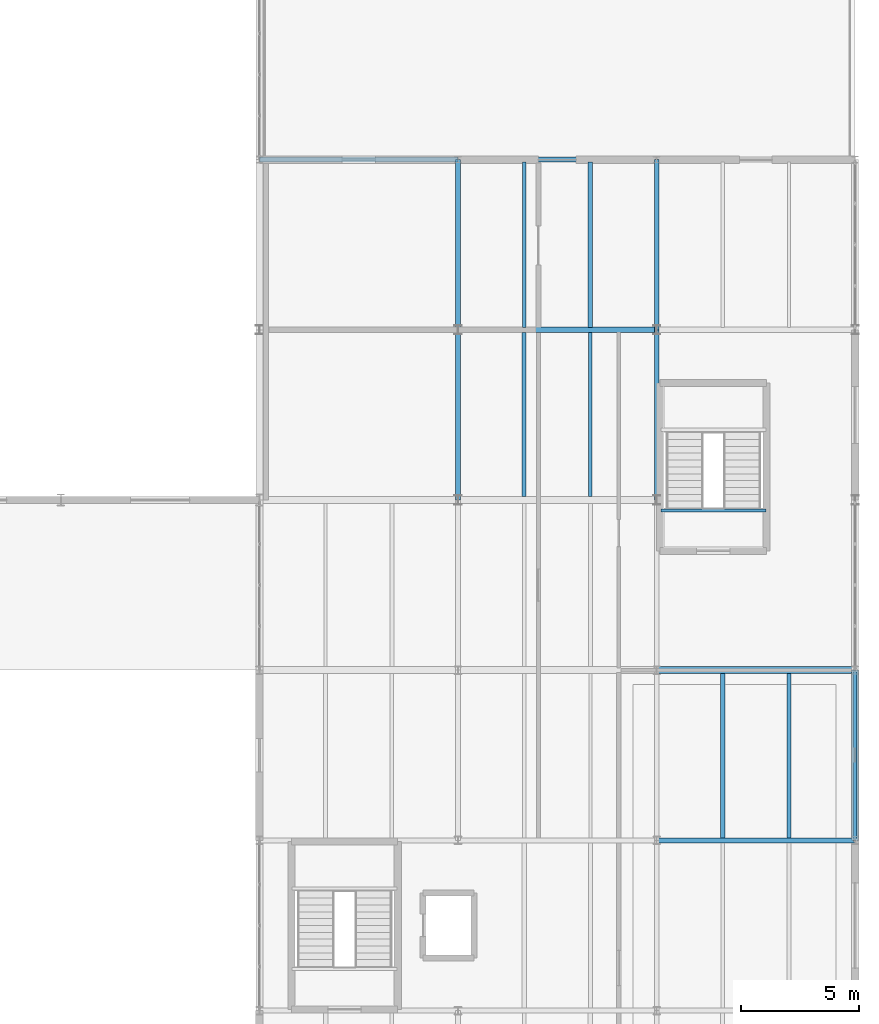
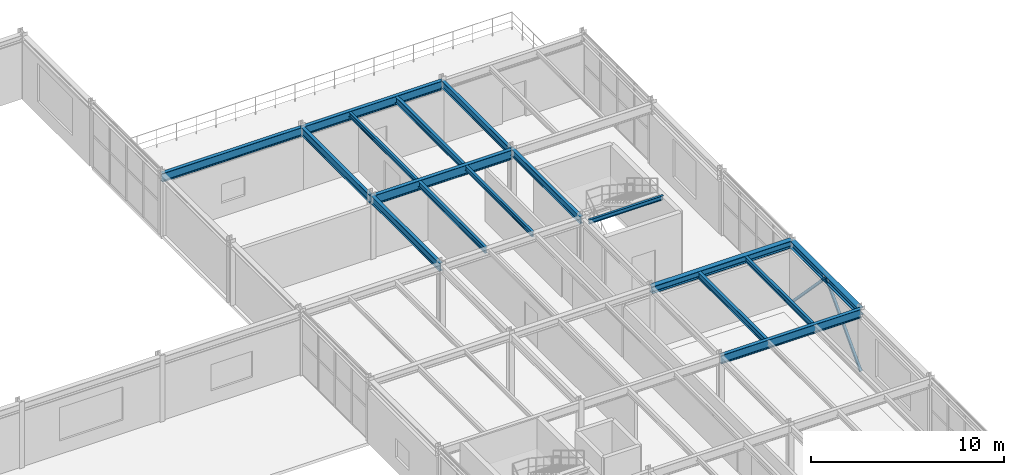
# One storey, part 47 of 73: 17 beams, 2 members.
"""IFC4 building model written with IfcOpenShell, lengths in metres."""

from ifc_helpers import new_model, si_unit, derived_unit, direction, frame, origin, origin_2d, place, context, subcontext, project, spatial, hollow_rectangle, i_section, extrude, material, material_profile, profile_set, type_object, element, save


model = new_model("IFC4")

# Units and contexts
model_context = context("Model", 3, precision=1e-05, world=origin(), true_north=direction((0.0, 1.0)))
body_context = subcontext(model_context, "Body", "Model", "MODEL_VIEW")
ifc_project = project(units=[si_unit("LENGTHUNIT", "METRE"), si_unit("AREAUNIT", "SQUARE_METRE"), si_unit("VOLUMEUNIT", "CUBIC_METRE"), si_unit("PLANEANGLEUNIT", "RADIAN"), si_unit("MASSUNIT", "GRAM", prefix="KILO"), derived_unit("THERMALTRANSMITTANCEUNIT", [(si_unit("MASSUNIT", "GRAM", prefix="KILO"), 1), (si_unit("TIMEUNIT", "SECOND"), -3), (si_unit("THERMODYNAMICTEMPERATUREUNIT", "KELVIN"), -1)])], contexts=[model_context])

# Site, building, storey
site_placement = place(None, origin())
site = spatial("IfcSite", under=ifc_project, at=site_placement, CompositionType="ELEMENT")
building_placement = place(site_placement, origin())
building = spatial("IfcBuilding", under=site, at=building_placement, Name="Kharveza Railside Sports Centre", CompositionType="ELEMENT")
storey_placement = place(building_placement, frame((0.0, 0.0, 8.699951171875)))
storey = spatial("IfcBuildingStorey", under=building, at=storey_placement, Name="L02", CompositionType="ELEMENT", Elevation=8.699951171875)

# Beams
ifc_material = material(Name="Steel S355J2", Category="steel")
ifc_material_profile_1 = material_profile(ifc_material, i_section(OverallWidth=0.219970703125, OverallDepth=0.60009765625, WebThickness=0.011962890625, FlangeThickness=0.01904296875, FilletRadius=0.02392578125, at=origin_2d()), Name="IPE 600")
ifc_profile_set_1 = profile_set([ifc_material_profile_1], Name="Steel S355J2")
beam_type_1 = type_object("IfcBeamType", Name="BM-G01", PredefinedType="T_BEAM", material=ifc_profile_set_1)
beam_1_placement = place(storey_placement, frame((151.199951171875, 86.39990234375, 3.6201171875), z_axis=(1.0, 0.0, 0.0), x_axis=(0.0, 1.0, 0.0)))
element("IfcBeam", 1, at=beam_1_placement, inside=storey, type_object=beam_type_1, Name="BM-EW-L02-B01-X1512-Y864", PredefinedType="T_BEAM", context=body_context, shape_type="SweptSolid", body=[
    extrude(i_section(OverallWidth=0.219970703125, OverallDepth=0.60009765625, WebThickness=0.011962890625, FlangeThickness=0.01904296875, FilletRadius=0.02392578125, at=origin_2d()), origin(), (0.0, 0.0, 1.0), 8.400146484375),
])
ifc_material_profile_2 = material_profile(ifc_material, i_section(OverallWidth=0.2099609375, OverallDepth=0.550048828125, WebThickness=0.010986328125, FlangeThickness=0.01708984375, FilletRadius=0.02392578125, at=origin_2d()), Name="IPE 550")
ifc_profile_set_2 = profile_set([ifc_material_profile_2], Name="Steel S355J2")
beam_type_2 = type_object("IfcBeamType", Name="BM-G02", PredefinedType="T_BEAM", material=ifc_profile_set_2)
beam_2_placement = place(storey_placement, frame((142.800048828125, 93.60009765625, 3.64501953125), z_axis=(1.0, 0.0, 0.0), x_axis=(0.0, 1.0, 0.0)))
element("IfcBeam", 2, at=beam_2_placement, inside=storey, type_object=beam_type_2, Name="BM-EW-L02-B02-X1428-Y936", PredefinedType="T_BEAM", context=body_context, shape_type="SweptSolid", body=[
    extrude(i_section(OverallWidth=0.2099609375, OverallDepth=0.550048828125, WebThickness=0.010986328125, FlangeThickness=0.01708984375, FilletRadius=0.02392578125, at=origin_2d()), origin(), (0.0, 0.0, 1.0), 8.39990234375),
])
beam_3_placement = place(storey_placement, frame((151.199951171875, 93.60009765625, 3.64501953125), z_axis=(1.0, 0.0, 0.0), x_axis=(0.0, 1.0, 0.0)))
element("IfcBeam", 3, at=beam_3_placement, inside=storey, type_object=beam_type_2, Name="BM-EW-L02-B02-X1512-Y936", PredefinedType="T_BEAM", context=body_context, shape_type="SweptSolid", body=[
    extrude(i_section(OverallWidth=0.2099609375, OverallDepth=0.550048828125, WebThickness=0.010986328125, FlangeThickness=0.01708984375, FilletRadius=0.02392578125, at=origin_2d()), origin(), (0.0, 0.0, 1.0), 8.400146484375),
])
beam_4_placement = place(storey_placement, frame((159.60009765625, 64.800048828125, 3.72509765625), z_axis=(1.0, 0.0, 0.0), x_axis=(0.0, 1.0, 0.0)))
element("IfcBeam", 4, at=beam_4_placement, inside=storey, type_object=beam_type_2, Name="BM-EW-L02-B02-X1596-Y648", PredefinedType="T_BEAM", context=body_context, shape_type="SweptSolid", body=[
    extrude(i_section(OverallWidth=0.2099609375, OverallDepth=0.550048828125, WebThickness=0.010986328125, FlangeThickness=0.01708984375, FilletRadius=0.02392578125, at=origin_2d()), origin(), (0.0, 0.0, 1.0), 8.39990234375),
])
ifc_material_profile_3 = material_profile(ifc_material, i_section(OverallWidth=0.199951171875, OverallDepth=0.5, WebThickness=0.01025390625, FlangeThickness=0.01611328125, FilletRadius=0.02099609375, at=origin_2d()), Name="IPE 500")
ifc_profile_set_3 = profile_set([ifc_material_profile_3], Name="Steel S355J2")
beam_type_3 = type_object("IfcBeamType", Name="BM-G03", PredefinedType="T_BEAM", material=ifc_profile_set_3)
beam_5_placement = place(storey_placement, frame((151.199951171875, 79.199951171875, 3.75), z_axis=(0.0, 1.0, 0.0), x_axis=(-1.0, 0.0, 0.0)))
element("IfcBeam", 5, at=beam_5_placement, inside=storey, type_object=beam_type_3, Name="BM-NS-L02-B03-X1512-Y792", PredefinedType="T_BEAM", context=body_context, shape_type="SweptSolid", body=[
    extrude(i_section(OverallWidth=0.199951171875, OverallDepth=0.5, WebThickness=0.01025390625, FlangeThickness=0.01611328125, FilletRadius=0.02099609375, at=origin_2d()), origin(), (0.0, 0.0, 1.0), 7.199951171875),
])
beam_6_placement = place(storey_placement, frame((151.199951171875, 86.39990234375, 3.670166015625), z_axis=(0.0, 1.0, 0.0), x_axis=(-1.0, 0.0, 0.0)))
element("IfcBeam", 6, at=beam_6_placement, inside=storey, type_object=beam_type_3, Name="BM-NS-L02-B03-X1512-Y864", PredefinedType="T_BEAM", context=body_context, shape_type="SweptSolid", body=[
    extrude(i_section(OverallWidth=0.199951171875, OverallDepth=0.5, WebThickness=0.01025390625, FlangeThickness=0.01611328125, FilletRadius=0.02099609375, at=origin_2d()), origin(), (0.0, 0.0, 1.0), 7.2001953125),
])
ifc_material_profile_4 = material_profile(ifc_material, i_section(OverallWidth=0.18994140625, OverallDepth=0.449951171875, WebThickness=0.009521484375, FlangeThickness=0.0146484375, FilletRadius=0.02099609375, at=origin_2d()), Name="IPE 450")
ifc_profile_set_4 = profile_set([ifc_material_profile_4], Name="Steel S355J2")
beam_type_4 = type_object("IfcBeamType", Name="BM-G04", PredefinedType="T_BEAM", material=ifc_profile_set_4)
beam_7_placement = place(storey_placement, frame((159.60009765625, 79.199951171875, 3.775146484375), z_axis=(0.0, 1.0, 0.0), x_axis=(-1.0, 0.0, 0.0)))
element("IfcBeam", 7, at=beam_7_placement, inside=storey, type_object=beam_type_4, Name="BM-NS-L02-B04-X1596-Y792", PredefinedType="T_BEAM", context=body_context, shape_type="SweptSolid", body=[
    extrude(i_section(OverallWidth=0.18994140625, OverallDepth=0.449951171875, WebThickness=0.009521484375, FlangeThickness=0.0146484375, FilletRadius=0.02099609375, at=origin_2d()), origin(), (0.0, 0.0, 1.0), 7.199951171875),
])
beam_8_placement = place(storey_placement, frame((159.60009765625, 86.39990234375, 3.695068359375), z_axis=(0.0, 1.0, 0.0), x_axis=(-1.0, 0.0, 0.0)))
element("IfcBeam", 8, at=beam_8_placement, inside=storey, type_object=beam_type_4, Name="BM-NS-L02-B04-X1596-Y864", PredefinedType="T_BEAM", context=body_context, shape_type="SweptSolid", body=[
    extrude(i_section(OverallWidth=0.18994140625, OverallDepth=0.449951171875, WebThickness=0.009521484375, FlangeThickness=0.0146484375, FilletRadius=0.02099609375, at=origin_2d()), origin(), (0.0, 0.0, 1.0), 7.2001953125),
])
ifc_material_profile_5 = material_profile(ifc_material, i_section(OverallWidth=0.300048828125, OverallDepth=0.449951171875, WebThickness=0.013916015625, FlangeThickness=0.02587890625, FilletRadius=0.027099609375, at=origin_2d()), Name="HEB 450")
ifc_profile_set_5 = profile_set([ifc_material_profile_5], Name="Steel S355J2")
beam_type_5 = type_object("IfcBeamType", Name="BM-G06", PredefinedType="T_BEAM", material=ifc_profile_set_5)
beam_9_placement = place(storey_placement, frame((159.60009765625, 72.0, 3.775146484375), z_axis=(1.0, 0.0, 0.0), x_axis=(0.0, 1.0, 0.0)))
element("IfcBeam", 9, at=beam_9_placement, inside=storey, type_object=beam_type_5, Name="BM-EW-L02-B06-X1596-Y720", PredefinedType="T_BEAM", context=body_context, shape_type="SweptSolid", body=[
    extrude(i_section(OverallWidth=0.300048828125, OverallDepth=0.449951171875, WebThickness=0.013916015625, FlangeThickness=0.02587890625, FilletRadius=0.027099609375, at=origin_2d()), origin(), (0.0, 0.0, 1.0), 8.39990234375),
])
ifc_material_profile_6 = material_profile(ifc_material, i_section(OverallWidth=0.179931640625, OverallDepth=0.39990234375, WebThickness=0.008544921875, FlangeThickness=0.013427734375, FilletRadius=0.02099609375, at=origin_2d()), Name="IPE 400")
ifc_profile_set_6 = profile_set([ifc_material_profile_6], Name="Steel S355J2")
beam_type_6 = type_object("IfcBeamType", Name="BM-S01", PredefinedType="BEAM", material=ifc_profile_set_6)
beam_10_placement = place(storey_placement, frame((156.800048828125, 86.507080078125, 3.719970703125), z_axis=(0.0, 1.0, 0.0), x_axis=(-1.0, 0.0, 0.0)))
element("IfcBeam", 10, at=beam_10_placement, inside=storey, type_object=beam_type_6, Name="BM-SEC-L02-B09-X1568-Y864", PredefinedType="BEAM", context=body_context, shape_type="SweptSolid", body=[
    extrude(i_section(OverallWidth=0.179931640625, OverallDepth=0.39990234375, WebThickness=0.008544921875, FlangeThickness=0.013427734375, FilletRadius=0.02099609375, at=origin_2d()), origin(), (0.0, 0.0, 1.0), 6.990966796875),
])
beam_11_placement = place(storey_placement, frame((162.39990234375, 64.902099609375, 3.800048828125), z_axis=(0.0, 1.0, 0.0), x_axis=(-1.0, 0.0, 0.0)))
element("IfcBeam", 11, at=beam_11_placement, inside=storey, type_object=beam_type_6, Name="BM-SEC-L02-B09-X1624-Y648", PredefinedType="BEAM", context=body_context, shape_type="SweptSolid", body=[
    extrude(i_section(OverallWidth=0.179931640625, OverallDepth=0.39990234375, WebThickness=0.008544921875, FlangeThickness=0.013427734375, FilletRadius=0.02099609375, at=origin_2d()), origin(), (0.0, 0.0, 1.0), 6.950927734375),
])
ifc_material_profile_7 = material_profile(ifc_material, i_section(OverallWidth=0.169921875, OverallDepth=0.360107421875, WebThickness=0.008056640625, FlangeThickness=0.0126953125, FilletRadius=0.01806640625, at=origin_2d()), Name="IPE 360")
ifc_profile_set_7 = profile_set([ifc_material_profile_7], Name="Steel S355J2")
beam_type_7 = type_object("IfcBeamType", Name="BM-S02", PredefinedType="BEAM", material=ifc_profile_set_7)
beam_12_placement = place(storey_placement, frame((154.0, 79.346923828125, 3.739990234375), z_axis=(0.0, 1.0, 0.0), x_axis=(-1.0, 0.0, 0.0)))
element("IfcBeam", 12, at=beam_12_placement, inside=storey, type_object=beam_type_7, Name="BM-SEC-L02-B10-X1540-Y792", PredefinedType="BEAM", context=body_context, shape_type="SweptSolid", body=[
    extrude(i_section(OverallWidth=0.169921875, OverallDepth=0.360107421875, WebThickness=0.008056640625, FlangeThickness=0.0126953125, FilletRadius=0.01806640625, at=origin_2d()), origin(), (0.0, 0.0, 1.0), 6.946044921875),
])
ifc_material_profile_8 = material_profile(ifc_material, i_section(OverallWidth=0.159912109375, OverallDepth=0.330078125, WebThickness=0.007568359375, FlangeThickness=0.011474609375, FilletRadius=0.01806640625, at=origin_2d()), Name="IPE 330")
ifc_profile_set_8 = profile_set([ifc_material_profile_8], Name="Steel S355J2")
beam_type_8 = type_object("IfcBeamType", Name="BM-S03", PredefinedType="BEAM", material=ifc_profile_set_8)
beam_13_placement = place(storey_placement, frame((165.199951171875, 64.902099609375, 3.8349609375), z_axis=(0.0, 1.0, 0.0), x_axis=(-1.0, 0.0, 0.0)))
element("IfcBeam", 13, at=beam_13_placement, inside=storey, type_object=beam_type_8, Name="BM-SEC-L02-B11-X1652-Y648", PredefinedType="BEAM", context=body_context, shape_type="SweptSolid", body=[
    extrude(i_section(OverallWidth=0.159912109375, OverallDepth=0.330078125, WebThickness=0.007568359375, FlangeThickness=0.011474609375, FilletRadius=0.01806640625, at=origin_2d()), origin(), (0.0, 0.0, 1.0), 6.950927734375),
])
ifc_material_profile_9 = material_profile(ifc_material, i_section(OverallWidth=0.14990234375, OverallDepth=0.300048828125, WebThickness=0.007080078125, FlangeThickness=0.0107421875, FilletRadius=0.014892578125, at=origin_2d()), Name="IPE 300")
ifc_profile_set_9 = profile_set([ifc_material_profile_9], Name="Steel S355J2")
beam_type_9 = type_object("IfcBeamType", Name="BM-S04", PredefinedType="BEAM", material=ifc_profile_set_9)
beam_14_placement = place(storey_placement, frame((156.800048828125, 79.346923828125, 3.77001953125), z_axis=(0.0, 1.0, 0.0), x_axis=(-1.0, 0.0, 0.0)))
element("IfcBeam", 14, at=beam_14_placement, inside=storey, type_object=beam_type_9, Name="BM-SEC-L02-B12-X1568-Y792", PredefinedType="BEAM", context=body_context, shape_type="SweptSolid", body=[
    extrude(i_section(OverallWidth=0.14990234375, OverallDepth=0.300048828125, WebThickness=0.007080078125, FlangeThickness=0.0107421875, FilletRadius=0.014892578125, at=origin_2d()), origin(), (0.0, 0.0, 1.0), 6.946044921875),
])
beam_15_placement = place(storey_placement, frame((154.0, 86.507080078125, 3.77001953125), z_axis=(0.0, 1.0, 0.0), x_axis=(-1.0, 0.0, 0.0)))
element("IfcBeam", 15, at=beam_15_placement, inside=storey, type_object=beam_type_9, Name="BM-SEC-L02-B12-X1540-Y864", PredefinedType="BEAM", context=body_context, shape_type="SweptSolid", body=[
    extrude(i_section(OverallWidth=0.14990234375, OverallDepth=0.300048828125, WebThickness=0.007080078125, FlangeThickness=0.0107421875, FilletRadius=0.014892578125, at=origin_2d()), origin(), (0.0, 0.0, 1.0), 6.990966796875),
])
ifc_material_profile_10 = material_profile(ifc_material, i_section(OverallWidth=0.135009765625, OverallDepth=0.27001953125, WebThickness=0.006591796875, FlangeThickness=0.01025390625, FilletRadius=0.014892578125, at=origin_2d()), Name="IPE 270")
ifc_profile_set_10 = profile_set([ifc_material_profile_10], Name="Steel S355J2")
beam_type_10 = type_object("IfcBeamType", Name="BM-S05", PredefinedType="BEAM", material=ifc_profile_set_10)
beam_16_placement = place(storey_placement, frame((159.780029296875, 78.760009765625, 3.880126953125), z_axis=(1.0, 0.0, 0.0), x_axis=(0.0, 1.0, 0.0)))
element("IfcBeam", 16, at=beam_16_placement, inside=storey, type_object=beam_type_10, Name="BM-STLND-ST4-L03", PredefinedType="BEAM", context=body_context, shape_type="SweptSolid", body=[
    extrude(i_section(OverallWidth=0.135009765625, OverallDepth=0.27001953125, WebThickness=0.006591796875, FlangeThickness=0.01025390625, FilletRadius=0.014892578125, at=origin_2d()), origin(), (0.0, 0.0, 1.0), 4.43994140625),
])
ifc_material_profile_11 = material_profile(ifc_material, i_section(OverallWidth=0.300048828125, OverallDepth=0.43994140625, WebThickness=0.011474609375, FlangeThickness=0.02099609375, FilletRadius=0.027099609375, at=origin_2d()), Name="HEA 450")
ifc_profile_set_11 = profile_set([ifc_material_profile_11], Name="Steel S355J2")
beam_type_11 = type_object("IfcBeamType", Name="BM-SP01", PredefinedType="SPANDREL", material=ifc_profile_set_11)
beam_17_placement = place(storey_placement, frame((168.0, 64.800048828125, 3.780029296875), z_axis=(0.0, 1.0, 0.0), x_axis=(-1.0, 0.0, 0.0)))
element("IfcBeam", 17, at=beam_17_placement, inside=storey, type_object=beam_type_11, Name="BM-NS-L02-B15-X1680-Y648", PredefinedType="SPANDREL", context=body_context, shape_type="SweptSolid", body=[
    extrude(i_section(OverallWidth=0.300048828125, OverallDepth=0.43994140625, WebThickness=0.011474609375, FlangeThickness=0.02099609375, FilletRadius=0.027099609375, at=origin_2d()), origin(), (0.0, 0.0, 1.0), 7.199951171875),
])

# Members
ifc_material_profile_12 = material_profile(ifc_material, hollow_rectangle(XDim=0.14990234375, YDim=0.14990234375, WallThickness=0.008056640625, InnerFilletRadius=0.008056640625, OuterFilletRadius=0.01611328125, at=origin_2d()), Name="SHS 150x150x8.0")
ifc_profile_set_12 = profile_set([ifc_material_profile_12], Name="Steel S355J2")
member_type = type_object("IfcMemberType", Name="MB-BR02", PredefinedType="BRACE", material=ifc_profile_set_12)
member_1_placement = place(storey_placement, frame((168.0, 64.800048828125, 0.0), z_axis=(0.0, 0.692517163318, 0.721401399021), x_axis=(-1.0, 0.0, 0.0)))
element("IfcMember", 18, at=member_1_placement, inside=storey, type_object=member_type, Name="MB-CHEV-NS-020A", PredefinedType="BRACE", context=body_context, shape_type="SweptSolid", body=[
    extrude(hollow_rectangle(XDim=0.14990234375, YDim=0.14990234375, WallThickness=0.008056640625, InnerFilletRadius=0.008056640625, OuterFilletRadius=0.01611328125, at=origin_2d()), origin(), (0.0, 0.0, 1.0), 5.1982421875),
])
member_2_placement = place(storey_placement, frame((168.0, 72.0, 0.0), z_axis=(0.0, -0.692541604294, 0.721377935844), x_axis=(1.0, 0.0, 0.0)))
element("IfcMember", 19, at=member_2_placement, inside=storey, type_object=member_type, Name="MB-CHEV-NS-020B", PredefinedType="BRACE", context=body_context, shape_type="SweptSolid", body=[
    extrude(hollow_rectangle(XDim=0.14990234375, YDim=0.14990234375, WallThickness=0.008056640625, InnerFilletRadius=0.008056640625, OuterFilletRadius=0.01611328125, at=origin_2d()), origin(), (0.0, 0.0, 1.0), 5.198486328125),
])

save(model, "model.ifc")
